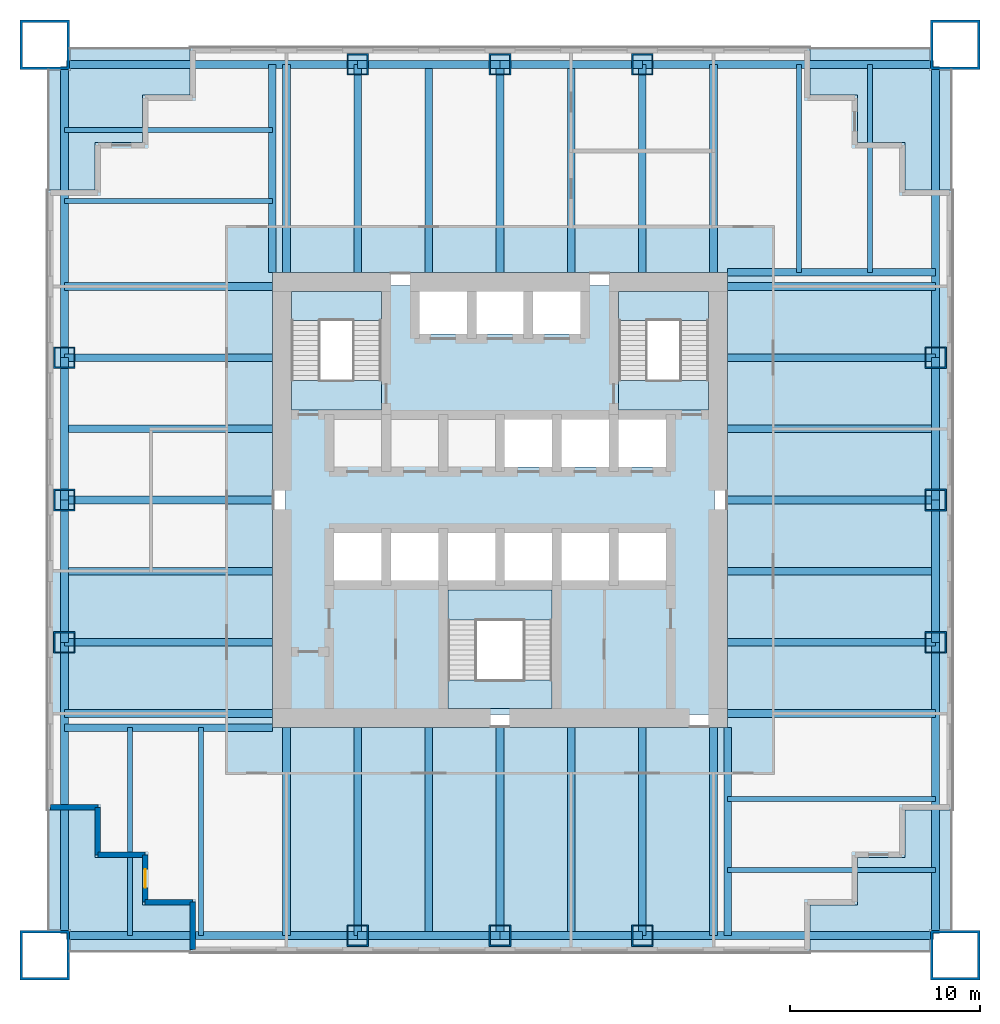
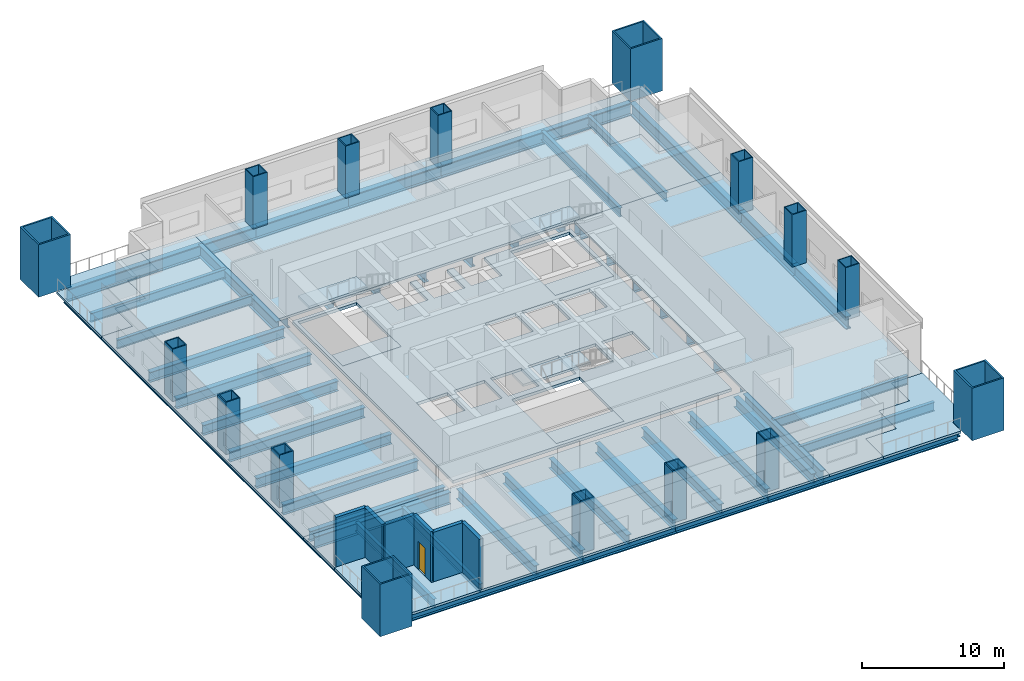
# One storey, part 1 of 7: 56 beams, 16 columns, 15 slabs, 6 walls, 1 door, 1 opening, 3 elements without a shape of their own.
"""IFC4 building model written with IfcOpenShell, lengths in metres."""

import ifcopenshell
import ifcopenshell.guid

model = None  # the IFC model being written
_history = None  # IfcOwnerHistory: only IFC2X3 demands one
_inside = {}  # id of a spatial element -> (the spatial element, [elements in it])
_under = {}  # id of a project, library or spatial element -> (it, [spatial elements below it])
_declared = {}  # id of a project -> (the project, [libraries it declares])
_typed = {}  # id of a type object -> (the type object, [elements of that type])
_made_of = {}  # id of a material, layer set ... -> (it, [elements and type objects made of it])


def new_model(schema):
    """Start an empty IFC model of exactly this schema.

    Asked for "IFC4X3", IfcOpenShell would pick the latest addendum, in which some entities
    have other attributes; the version numbers below select the first issue.
    IFC2X3 requires an IfcOwnerHistory on every rooted entity: one is made here for all.
    """
    global model, _history
    if schema == "IFC4X3":
        model = ifcopenshell.file(schema_version=(4, 3, 0, 0))
    else:
        model = ifcopenshell.file(schema=schema)
    _inside.clear()
    _under.clear()
    _declared.clear()
    _typed.clear()
    _made_of.clear()
    _history = None
    if model.schema == "IFC2X3":
        org = make("IfcOrganization", Name="unknown")
        user = make(
            "IfcPersonAndOrganization",
            ThePerson=make("IfcPerson", FamilyName="unknown"),
            TheOrganization=org,
        )
        app = make(
            "IfcApplication",
            ApplicationDeveloper=org,
            Version="unknown",
            ApplicationFullName="unknown",
            ApplicationIdentifier="unknown",
        )
        _history = make(
            "IfcOwnerHistory",
            OwningUser=user,
            OwningApplication=app,
            ChangeAction="ADDED",
            CreationDate=0,
        )
    return model


def make(cls, **values):
    """One entity of the class cls with the attributes given. An attribute that is None is left unset."""
    return model.create_entity(
        cls, **{name: value for name, value in values.items() if value is not None}
    )


def rooted(cls, **values):
    """An entity with a GlobalId (a new one), such as an element, a storey or a relation."""
    return make(cls, GlobalId=ifcopenshell.guid.new(), OwnerHistory=_history, **values)


def si_unit(unit_type, name, prefix=None):
    """IfcSIUnit, for example si_unit("LENGTHUNIT", "METRE", prefix="MILLI")."""
    return make("IfcSIUnit", UnitType=unit_type, Prefix=prefix, Name=name)


def assignment(units):
    """IfcUnitAssignment: the units of a project."""
    return None if units is None else make("IfcUnitAssignment", Units=units)


def point(xyz):
    """IfcCartesianPoint."""
    return None if xyz is None else make("IfcCartesianPoint", Coordinates=xyz)


def direction(xyz):
    """IfcDirection."""
    return None if xyz is None else make("IfcDirection", DirectionRatios=xyz)


def frame(location, z_axis=None, x_axis=None):
    """IfcAxis2Placement3D, a coordinate frame: its origin and axes. An axis left out is left unset."""
    return make(
        "IfcAxis2Placement3D",
        Location=point(location),
        Axis=direction(z_axis),
        RefDirection=direction(x_axis),
    )


def frame_2d(location, x_axis=None):
    """IfcAxis2Placement2D, a coordinate frame in the plane: its origin and x axis."""
    return make(
        "IfcAxis2Placement2D", Location=point(location), RefDirection=direction(x_axis)
    )


def origin():
    """The frame at (0, 0, 0) with its axes left unset."""
    return frame((0.0, 0.0, 0.0))


def origin_2d():
    """The frame at (0, 0) in the plane with its x axis left unset."""
    return frame_2d((0.0, 0.0))


def place(relative_to, where):
    """IfcLocalPlacement: puts the frame where relative to a parent placement (None: the world)."""
    return make(
        "IfcLocalPlacement", PlacementRelTo=relative_to, RelativePlacement=where
    )


def context(
    kind, dimensions, precision=None, world=None, true_north=None, identifier=None
):
    """IfcGeometricRepresentationContext, for example the 3D "Model" context."""
    return make(
        "IfcGeometricRepresentationContext",
        ContextIdentifier=identifier,
        ContextType=kind,
        CoordinateSpaceDimension=dimensions,
        Precision=precision,
        WorldCoordinateSystem=world,
        TrueNorth=true_north,
    )


def subcontext(parent, identifier, kind, view, scale=None):
    """IfcGeometricRepresentationSubContext, for example "Body" below "Model"."""
    return make(
        "IfcGeometricRepresentationSubContext",
        ContextIdentifier=identifier,
        ContextType=kind,
        ParentContext=parent,
        TargetScale=scale,
        TargetView=view,
    )


def project(units=None, contexts=None):
    """IfcProject with its units and contexts."""
    return rooted(
        "IfcProject",
        Name="project",
        RepresentationContexts=contexts,
        UnitsInContext=assignment(units),
    )


def spatial(cls, under=None, at=None, **own):
    """A site, building, storey or space (cls), placed at a placement, below another one or the project."""
    s = rooted(cls, ObjectPlacement=at, **own)
    if under is not None:
        _under.setdefault(under.id(), (under, []))[1].append(s)
    return s


def polyline(points):
    """IfcPolyline through the points."""
    return make("IfcPolyline", Points=[point(p) for p in points])


def profile(cls, at=None, kind="AREA", **sizes):
    """A parametric profile (cls). Its sizes go by their IFC names, for example OverallWidth=200.0."""
    return make(cls, ProfileType=kind, Position=at, **sizes)


def rectangle(**sizes):
    """IfcRectangleProfileDef."""
    return profile("IfcRectangleProfileDef", **sizes)


def hollow_rectangle(**sizes):
    """IfcRectangleHollowProfileDef."""
    return profile("IfcRectangleHollowProfileDef", **sizes)


def i_section(**sizes):
    """IfcIShapeProfileDef."""
    return profile("IfcIShapeProfileDef", **sizes)


def outline(outer, holes=None, kind="AREA"):
    """IfcArbitraryClosedProfileDef: a profile drawn as a closed curve; with holes, ...WithVoids."""
    if holes is None:
        return make("IfcArbitraryClosedProfileDef", ProfileType=kind, OuterCurve=outer)
    return make(
        "IfcArbitraryProfileDefWithVoids",
        ProfileType=kind,
        OuterCurve=outer,
        InnerCurves=holes,
    )


def extrude(swept, where, along, depth):
    """IfcExtrudedAreaSolid: the profile swept, set in the frame where, extruded along a direction by depth."""
    return make(
        "IfcExtrudedAreaSolid",
        SweptArea=swept,
        Position=where,
        ExtrudedDirection=direction(along),
        Depth=depth,
    )


def shape(context_of_items, identifier, shape_type, items):
    """IfcShapeRepresentation: the items that make up one representation, for example the "Body"."""
    return make(
        "IfcShapeRepresentation",
        ContextOfItems=context_of_items,
        RepresentationIdentifier=identifier,
        RepresentationType=shape_type,
        Items=items,
    )


def material(Name=None, Category=None):
    """IfcMaterial."""
    return make("IfcMaterial", Name=Name, Category=Category)


def layer(
    of_material, thickness, ventilated=None, Name=None, Category=None, Priority=None
):
    """IfcMaterialLayer: one layer of a wall or slab, of a material (None: an air gap)."""
    return make(
        "IfcMaterialLayer",
        Material=of_material,
        LayerThickness=thickness,
        IsVentilated=ventilated,
        Name=Name,
        Category=Category,
        Priority=Priority,
    )


def layer_set(layers, Name=None):
    """IfcMaterialLayerSet."""
    return make("IfcMaterialLayerSet", MaterialLayers=layers, LayerSetName=Name)


def material_profile(
    of_material, cross_section, Name=None, Category=None, Priority=None
):
    """IfcMaterialProfile: a cross section and its material."""
    return make(
        "IfcMaterialProfile",
        Name=Name,
        Material=of_material,
        Profile=cross_section,
        Priority=Priority,
        Category=Category,
    )


def profile_set(profiles, Name=None, composite=None):
    """IfcMaterialProfileSet."""
    return make(
        "IfcMaterialProfileSet",
        Name=Name,
        MaterialProfiles=profiles,
        CompositeProfile=composite,
    )


def made_of(thing, what):
    """Note that an element or type object is made of a material, layer set ...; save() writes the relation."""
    if what is not None:
        _made_of.setdefault(what.id(), (what, []))[1].append(thing)
    return thing


def type_object(cls, material=None, **own):
    """A type object (cls), such as IfcWallType, which elements share."""
    return made_of(rooted(cls, **own), material)


def element(
    cls,
    number,
    at=None,
    inside=None,
    cuts=None,
    type_object=None,
    material=None,
    context=None,
    identifier="Body",
    shape_type=None,
    held_by="IfcProductDefinitionShape",
    body=None,
    shapes=None,
    **own,
):
    """One element of the class cls, such as IfcWall. Its Tag is "e" and its number.

    at: its placement. inside: the storey or other place that contains it. cuts: it is an
    opening in that element (IfcRelVoidsElement). A single representation is given by context,
    identifier, shape_type and body (its items); several are given by shapes. held_by: the class
    of the entity that holds the representations. save() writes the other relations.
    """
    e = rooted(cls, Tag="e%d" % number, ObjectPlacement=at, **own)
    if body is not None:
        shapes = [shape(context, identifier, shape_type, body)]
    if shapes is not None:
        e.Representation = make(held_by, Representations=shapes)
    if inside is not None:
        _inside.setdefault(inside.id(), (inside, []))[1].append(e)
    if cuts is not None:
        rooted(
            "IfcRelVoidsElement", RelatingBuildingElement=cuts, RelatedOpeningElement=e
        )
    if type_object is not None:
        _typed.setdefault(type_object.id(), (type_object, []))[1].append(e)
    return made_of(e, material)


def fill(opening, filler):
    """IfcRelFillsElement: the door or window that sits in an opening."""
    return rooted(
        "IfcRelFillsElement",
        RelatingOpeningElement=opening,
        RelatedBuildingElement=filler,
    )


def aggregate(whole, parts):
    """IfcRelAggregates: a whole, such as a stair, and the parts it consists of."""
    return rooted("IfcRelAggregates", RelatingObject=whole, RelatedObjects=parts)


def save(model, path):
    """Write the relations noted so far, then the file.

    IfcRelAggregates (storeys below a building ...), IfcRelContainedInSpatialStructure (elements
    in a storey), IfcRelDefinesByType, IfcRelAssociatesMaterial and IfcRelDeclares: one each for
    every whole, place, type object, material and project.
    """
    for whole, parts in _under.values():
        aggregate(whole, parts)
    for where, things in _inside.values():
        rooted(
            "IfcRelContainedInSpatialStructure",
            RelatedElements=things,
            RelatingStructure=where,
        )
    for kind, things in _typed.values():
        rooted("IfcRelDefinesByType", RelatedObjects=things, RelatingType=kind)
    for what, things in _made_of.values():
        rooted("IfcRelAssociatesMaterial", RelatedObjects=things, RelatingMaterial=what)
    for by, libraries in _declared.values():
        rooted("IfcRelDeclares", RelatingContext=by, RelatedDefinitions=libraries)
    model.write(path)


model = new_model("IFC4")

# Units and contexts
model_context = context("Model", 3, precision=1e-05, world=origin(), true_north=direction((0.0, 1.0)))
body_context = subcontext(model_context, "Body", "Model", "MODEL_VIEW")
ifc_project = project(units=[si_unit("LENGTHUNIT", "METRE"), si_unit("AREAUNIT", "SQUARE_METRE"), si_unit("VOLUMEUNIT", "CUBIC_METRE"), si_unit("PLANEANGLEUNIT", "RADIAN"), si_unit("MASSUNIT", "GRAM", prefix="KILO")], contexts=[model_context])

# Site, building, storey
site_placement = place(None, origin())
site = spatial("IfcSite", under=ifc_project, at=site_placement, CompositionType="ELEMENT")
building_placement = place(site_placement, origin())
building = spatial("IfcBuilding", under=site, at=building_placement, Name="Tarangal Relay Tower", CompositionType="ELEMENT")
storey_placement = place(building_placement, frame((0.0, 0.0, 167.39990234375)))
storey = spatial("IfcBuildingStorey", under=building, at=storey_placement, Name="L34", CompositionType="ELEMENT", Elevation=167.39990234375)

# Columns
ifc_material_1 = material(Name="Steel ASTM A572 Grade 42", Category="steel")
ifc_material_profile_1 = material_profile(ifc_material_1, hollow_rectangle(XDim=2.60009765625, YDim=2.60009765625, WallThickness=0.1298828125, at=origin_2d()), Name="BOX2600X2600X130")
ifc_profile_set_1 = profile_set([ifc_material_profile_1], Name="Steel ASTM A572 Grade 42")
column_type_1 = type_object("IfcColumnType", Name="Mega column BOX2600X2600X130", PredefinedType="COLUMN", material=ifc_profile_set_1)
for number, where, z_axis, x_axis, name in (
    (1, (24.0, 24.0, 0.0), (0.0, 0.0, 1.0), (1.0, 0.0, 0.0), "Mega column MC2 NE L34"),
    (2, (24.0, -24.0, 0.0), (0.0, 0.0, 1.0), (1.0, 0.0, 0.0), "Mega column MC2 SE L34"),
    (3, (-24.0, -24.0, 0.0), (0.0, 0.0, 1.0), (1.0, 0.0, 0.0), "Mega column MC2 SW L34"),
    (4, (-24.0, 24.0, 0.0), (0.0, 0.0, 1.0), (1.0, 0.0, 0.0), "Mega column MC2 NW L34"),
):
    element("IfcColumn", number, at=place(storey_placement, frame(where, z_axis=z_axis, x_axis=x_axis)), inside=storey, type_object=column_type_1, Name=name, PredefinedType="COLUMN", context=body_context, shape_type="SweptSolid", body=[
        extrude(hollow_rectangle(XDim=2.60009765625, YDim=2.60009765625, WallThickness=0.1298828125, at=origin_2d()), origin(), (0.0, 0.0, 1.0), 4.5),
    ])
ifc_material_2 = material(Name="Steel ASTM A572 Grade 50", Category="steel")
ifc_material_profile_2 = material_profile(ifc_material_2, hollow_rectangle(XDim=1.14990234375, YDim=1.14990234375, WallThickness=0.074951171875, at=origin_2d()), Name="BOX1150X1150X75")
ifc_profile_set_2 = profile_set([ifc_material_profile_2], Name="Steel ASTM A572 Grade 50")
column_type_2 = type_object("IfcColumnType", Name="Perimeter column BOX1150X1150X75", PredefinedType="COLUMN", material=ifc_profile_set_2)
for number, where, z_axis, x_axis, name in (
    (5, (-7.5, 22.965087890625, 0.0), (0.0, 0.0, 1.0), (1.0, 0.0, 0.0), "Perimeter column PC3 N L34"),
    (6, (0.0, 22.965087890625, 0.0), (0.0, 0.0, 1.0), (1.0, 0.0, 0.0), "Perimeter column PC3 N L34"),
    (7, (7.5, 22.965087890625, 0.0), (0.0, 0.0, 1.0), (1.0, 0.0, 0.0), "Perimeter column PC3 N L34"),
    (8, (22.965087890625, 7.5, 0.0), (0.0, 0.0, 1.0), (1.0, 0.0, 0.0), "Perimeter column PC3 E L34"),
    (9, (22.965087890625, 0.0, 0.0), (0.0, 0.0, 1.0), (1.0, 0.0, 0.0), "Perimeter column PC3 E L34"),
    (10, (22.965087890625, -7.5, 0.0), (0.0, 0.0, 1.0), (1.0, 0.0, 0.0), "Perimeter column PC3 E L34"),
    (11, (7.5, -22.965087890625, 0.0), (0.0, 0.0, 1.0), (1.0, 0.0, 0.0), "Perimeter column PC3 S L34"),
    (12, (0.0, -22.965087890625, 0.0), (0.0, 0.0, 1.0), (1.0, 0.0, 0.0), "Perimeter column PC3 S L34"),
    (13, (-7.5, -22.965087890625, 0.0), (0.0, 0.0, 1.0), (1.0, 0.0, 0.0), "Perimeter column PC3 S L34"),
    (14, (-22.965087890625, -7.5, 0.0), (0.0, 0.0, 1.0), (1.0, 0.0, 0.0), "Perimeter column PC3 W L34"),
    (15, (-22.965087890625, 0.0, 0.0), (0.0, 0.0, 1.0), (1.0, 0.0, 0.0), "Perimeter column PC3 W L34"),
    (16, (-22.965087890625, 7.5, 0.0), (0.0, 0.0, 1.0), (1.0, 0.0, 0.0), "Perimeter column PC3 W L34"),
):
    element("IfcColumn", number, at=place(storey_placement, frame(where, z_axis=z_axis, x_axis=x_axis)), inside=storey, type_object=column_type_2, Name=name, PredefinedType="COLUMN", context=body_context, shape_type="SweptSolid", body=[
        extrude(hollow_rectangle(XDim=1.14990234375, YDim=1.14990234375, WallThickness=0.074951171875, at=origin_2d()), origin(), (0.0, 0.0, 1.0), 4.5),
    ])

# Beams
ifc_material_3 = material(Name="Steel ASTM A992", Category="steel")
ifc_material_profile_3 = material_profile(ifc_material_3, i_section(OverallWidth=0.2666015625, OverallDepth=0.76953125, WebThickness=0.015625, FlangeThickness=0.025390625, at=origin_2d()), Name="W30X132")
ifc_profile_set_3 = profile_set([ifc_material_profile_3], Name="Steel ASTM A992")
beam_type_1 = type_object("IfcBeamType", Name="Corner beam W30X132", PredefinedType="JOIST", material=ifc_profile_set_3)
for number, where, z_axis, x_axis, name in (
    (17, (15.75, 12.0, -0.584716796875), (0.0, 1.0, 0.0), (-1.0, 0.0, 0.0), "Corner beam CB13 N L34"),
    (18, (19.5, 12.0, -0.584716796875), (0.0, 1.0, 0.0), (-1.0, 0.0, 0.0), "Corner beam CB13 N L34"),
    (19, (12.0, -15.75, -0.584716796875), (1.0, 0.0, 0.0), (0.0, 1.0, 0.0), "Corner beam CB13 E L34"),
    (20, (12.0, -19.5, -0.584716796875), (1.0, 0.0, 0.0), (0.0, 1.0, 0.0), "Corner beam CB13 E L34"),
    (21, (-15.75, -12.0, -0.584716796875), (0.0, -1.0, 0.0), (1.0, 0.0, 0.0), "Corner beam CB13 S L34"),
    (22, (-19.5, -12.0, -0.584716796875), (0.0, -1.0, 0.0), (1.0, 0.0, 0.0), "Corner beam CB13 S L34"),
    (23, (-12.0, 15.75, -0.584716796875), (-1.0, 0.0, 0.0), (0.0, -1.0, 0.0), "Corner beam CB13 W L34"),
    (24, (-12.0, 19.5, -0.584716796875), (-1.0, 0.0, 0.0), (0.0, -1.0, 0.0), "Corner beam CB13 W L34"),
):
    element("IfcBeam", number, at=place(storey_placement, frame(where, z_axis=z_axis, x_axis=x_axis)), inside=storey, type_object=beam_type_1, Name=name, PredefinedType="JOIST", context=body_context, shape_type="SweptSolid", body=[
        extrude(i_section(OverallWidth=0.2666015625, OverallDepth=0.76953125, WebThickness=0.015625, FlangeThickness=0.025390625, at=origin_2d()), origin(), (0.0, 0.0, 1.0), 10.965087890625),
    ])
ifc_material_profile_4 = material_profile(ifc_material_3, i_section(OverallWidth=0.4013671875, OverallDepth=1.01611328125, WebThickness=0.02099609375, FlangeThickness=0.0400390625, at=origin_2d()), Name="W40X277")
ifc_profile_set_4 = profile_set([ifc_material_profile_4], Name="Steel ASTM A992")
beam_type_2 = type_object("IfcBeamType", Name="Corner girder W40X277", PredefinedType="BEAM", material=ifc_profile_set_4)
for number, where, z_axis, x_axis, name in (
    (25, (12.0, 12.0, -0.7080078125), (1.0, 0.0, 0.0), (0.0, 1.0, 0.0), "Corner girder CG3 N L34"),
    (26, (12.0, -12.0, -0.7080078125), (0.0, -1.0, 0.0), (1.0, 0.0, 0.0), "Corner girder CG3 E L34"),
    (27, (-12.0, -12.0, -0.7080078125), (-1.0, 0.0, 0.0), (0.0, -1.0, 0.0), "Corner girder CG3 S L34"),
    (28, (-12.0, 12.0, -0.7080078125), (0.0, 1.0, 0.0), (-1.0, 0.0, 0.0), "Corner girder CG3 W L34"),
):
    element("IfcBeam", number, at=place(storey_placement, frame(where, z_axis=z_axis, x_axis=x_axis)), inside=storey, type_object=beam_type_2, Name=name, PredefinedType="BEAM", context=body_context, shape_type="SweptSolid", body=[
        extrude(i_section(OverallWidth=0.4013671875, OverallDepth=1.01611328125, WebThickness=0.02099609375, FlangeThickness=0.0400390625, at=origin_2d()), origin(), (0.0, 0.0, 1.0), 10.965087890625),
    ])
ifc_material_profile_5 = material_profile(ifc_material_3, i_section(OverallWidth=0.42431640625, OverallDepth=1.09228515625, WebThickness=0.04541015625, FlangeThickness=0.08203125, at=origin_2d()), Name="W40X593")
ifc_profile_set_5 = profile_set([ifc_material_profile_5], Name="Steel ASTM A992")
beam_type_3 = type_object("IfcBeamType", Name="Edge girder W40X593", PredefinedType="SPANDREL", material=ifc_profile_set_5)
beam_1_placement = place(storey_placement, frame((-22.85009765625, 22.965087890625, -0.74609375), z_axis=(1.0, 0.0, 0.0), x_axis=(0.0, 1.0, 0.0)))
element("IfcBeam", 29, at=beam_1_placement, inside=storey, type_object=beam_type_3, Name="Edge girder EG9 N L34", PredefinedType="SPANDREL", context=body_context, shape_type="SweptSolid", body=[
    extrude(i_section(OverallWidth=0.42431640625, OverallDepth=1.09228515625, WebThickness=0.04541015625, FlangeThickness=0.08203125, at=origin_2d()), origin(), (0.0, 0.0, 1.0), 15.35009765625),
])
for number, where, z_axis, x_axis, name in (
    (30, (-7.5, 22.965087890625, -0.74609375), (1.0, 0.0, 0.0), (0.0, 1.0, 0.0), "Edge girder EG9 N L34"),
    (31, (0.0, 22.965087890625, -0.74609375), (1.0, 0.0, 0.0), (0.0, 1.0, 0.0), "Edge girder EG9 N L34"),
):
    element("IfcBeam", number, at=place(storey_placement, frame(where, z_axis=z_axis, x_axis=x_axis)), inside=storey, type_object=beam_type_3, Name=name, PredefinedType="SPANDREL", context=body_context, shape_type="SweptSolid", body=[
        extrude(i_section(OverallWidth=0.42431640625, OverallDepth=1.09228515625, WebThickness=0.04541015625, FlangeThickness=0.08203125, at=origin_2d()), origin(), (0.0, 0.0, 1.0), 7.5),
    ])
for number, where, z_axis, x_axis, name in (
    (32, (7.5, 22.965087890625, -0.74609375), (1.0, 0.0, 0.0), (0.0, 1.0, 0.0), "Edge girder EG9 N L34"),
    (33, (22.965087890625, 22.85009765625, -0.74609375), (0.0, -1.0, 0.0), (1.0, 0.0, 0.0), "Edge girder EG9 E L34"),
):
    element("IfcBeam", number, at=place(storey_placement, frame(where, z_axis=z_axis, x_axis=x_axis)), inside=storey, type_object=beam_type_3, Name=name, PredefinedType="SPANDREL", context=body_context, shape_type="SweptSolid", body=[
        extrude(i_section(OverallWidth=0.42431640625, OverallDepth=1.09228515625, WebThickness=0.04541015625, FlangeThickness=0.08203125, at=origin_2d()), origin(), (0.0, 0.0, 1.0), 15.35009765625),
    ])
for number, where, z_axis, x_axis, name in (
    (34, (22.965087890625, 7.5, -0.74609375), (0.0, -1.0, 0.0), (1.0, 0.0, 0.0), "Edge girder EG9 E L34"),
    (35, (22.965087890625, 0.0, -0.74609375), (0.0, -1.0, 0.0), (1.0, 0.0, 0.0), "Edge girder EG9 E L34"),
):
    element("IfcBeam", number, at=place(storey_placement, frame(where, z_axis=z_axis, x_axis=x_axis)), inside=storey, type_object=beam_type_3, Name=name, PredefinedType="SPANDREL", context=body_context, shape_type="SweptSolid", body=[
        extrude(i_section(OverallWidth=0.42431640625, OverallDepth=1.09228515625, WebThickness=0.04541015625, FlangeThickness=0.08203125, at=origin_2d()), origin(), (0.0, 0.0, 1.0), 7.5),
    ])
for number, where, z_axis, x_axis, name in (
    (36, (22.965087890625, -7.5, -0.74609375), (0.0, -1.0, 0.0), (1.0, 0.0, 0.0), "Edge girder EG9 E L34"),
    (37, (22.85009765625, -22.965087890625, -0.74609375), (-1.0, 0.0, 0.0), (0.0, -1.0, 0.0), "Edge girder EG9 S L34"),
):
    element("IfcBeam", number, at=place(storey_placement, frame(where, z_axis=z_axis, x_axis=x_axis)), inside=storey, type_object=beam_type_3, Name=name, PredefinedType="SPANDREL", context=body_context, shape_type="SweptSolid", body=[
        extrude(i_section(OverallWidth=0.42431640625, OverallDepth=1.09228515625, WebThickness=0.04541015625, FlangeThickness=0.08203125, at=origin_2d()), origin(), (0.0, 0.0, 1.0), 15.35009765625),
    ])
for number, where, z_axis, x_axis, name in (
    (38, (7.5, -22.965087890625, -0.74609375), (-1.0, 0.0, 0.0), (0.0, -1.0, 0.0), "Edge girder EG9 S L34"),
    (39, (0.0, -22.965087890625, -0.74609375), (-1.0, 0.0, 0.0), (0.0, -1.0, 0.0), "Edge girder EG9 S L34"),
):
    element("IfcBeam", number, at=place(storey_placement, frame(where, z_axis=z_axis, x_axis=x_axis)), inside=storey, type_object=beam_type_3, Name=name, PredefinedType="SPANDREL", context=body_context, shape_type="SweptSolid", body=[
        extrude(i_section(OverallWidth=0.42431640625, OverallDepth=1.09228515625, WebThickness=0.04541015625, FlangeThickness=0.08203125, at=origin_2d()), origin(), (0.0, 0.0, 1.0), 7.5),
    ])
for number, where, z_axis, x_axis, name in (
    (40, (-7.5, -22.965087890625, -0.74609375), (-1.0, 0.0, 0.0), (0.0, -1.0, 0.0), "Edge girder EG9 S L34"),
    (41, (-22.965087890625, -22.85009765625, -0.74609375), (0.0, 1.0, 0.0), (-1.0, 0.0, 0.0), "Edge girder EG9 W L34"),
):
    element("IfcBeam", number, at=place(storey_placement, frame(where, z_axis=z_axis, x_axis=x_axis)), inside=storey, type_object=beam_type_3, Name=name, PredefinedType="SPANDREL", context=body_context, shape_type="SweptSolid", body=[
        extrude(i_section(OverallWidth=0.42431640625, OverallDepth=1.09228515625, WebThickness=0.04541015625, FlangeThickness=0.08203125, at=origin_2d()), origin(), (0.0, 0.0, 1.0), 15.35009765625),
    ])
for number, where, z_axis, x_axis, name in (
    (42, (-22.965087890625, -7.5, -0.74609375), (0.0, 1.0, 0.0), (-1.0, 0.0, 0.0), "Edge girder EG9 W L34"),
    (43, (-22.965087890625, 0.0, -0.74609375), (0.0, 1.0, 0.0), (-1.0, 0.0, 0.0), "Edge girder EG9 W L34"),
):
    element("IfcBeam", number, at=place(storey_placement, frame(where, z_axis=z_axis, x_axis=x_axis)), inside=storey, type_object=beam_type_3, Name=name, PredefinedType="SPANDREL", context=body_context, shape_type="SweptSolid", body=[
        extrude(i_section(OverallWidth=0.42431640625, OverallDepth=1.09228515625, WebThickness=0.04541015625, FlangeThickness=0.08203125, at=origin_2d()), origin(), (0.0, 0.0, 1.0), 7.5),
    ])
beam_2_placement = place(storey_placement, frame((-22.965087890625, 7.5, -0.74609375), z_axis=(0.0, 1.0, 0.0), x_axis=(-1.0, 0.0, 0.0)))
element("IfcBeam", 44, at=beam_2_placement, inside=storey, type_object=beam_type_3, Name="Edge girder EG9 W L34", PredefinedType="SPANDREL", context=body_context, shape_type="SweptSolid", body=[
    extrude(i_section(OverallWidth=0.42431640625, OverallDepth=1.09228515625, WebThickness=0.04541015625, FlangeThickness=0.08203125, at=origin_2d()), origin(), (0.0, 0.0, 1.0), 15.35009765625),
])
ifc_material_profile_6 = material_profile(ifc_material_3, i_section(OverallWidth=0.40380859375, OverallDepth=0.86865234375, WebThickness=0.02099609375, FlangeThickness=0.03564453125, at=origin_2d()), Name="W33X241")
ifc_profile_set_6 = profile_set([ifc_material_profile_6], Name="Steel ASTM A992")
beam_type_4 = type_object("IfcBeamType", Name="Floor beam W33X241", PredefinedType="BEAM", material=ifc_profile_set_6)
for number, where, z_axis, x_axis, name in (
    (45, (-11.25, 12.0, -0.63427734375), (0.0, 1.0, 0.0), (-1.0, 0.0, 0.0), "Floor beam RB11 N L34"),
    (46, (-7.5, 12.0, -0.63427734375), (0.0, 1.0, 0.0), (-1.0, 0.0, 0.0), "Floor beam RB11 N L34"),
    (47, (-3.75, 12.0, -0.63427734375), (0.0, 1.0, 0.0), (-1.0, 0.0, 0.0), "Floor beam RB11 N L34"),
    (48, (0.0, 12.0, -0.63427734375), (0.0, 1.0, 0.0), (-1.0, 0.0, 0.0), "Floor beam RB11 N L34"),
    (49, (3.75, 12.0, -0.63427734375), (0.0, 1.0, 0.0), (-1.0, 0.0, 0.0), "Floor beam RB11 N L34"),
    (50, (7.5, 12.0, -0.63427734375), (0.0, 1.0, 0.0), (-1.0, 0.0, 0.0), "Floor beam RB11 N L34"),
    (51, (11.25, 12.0, -0.63427734375), (0.0, 1.0, 0.0), (-1.0, 0.0, 0.0), "Floor beam RB11 N L34"),
    (52, (12.0, 11.25, -0.63427734375), (1.0, 0.0, 0.0), (0.0, 1.0, 0.0), "Floor beam RB11 E L34"),
    (53, (12.0, 7.5, -0.63427734375), (1.0, 0.0, 0.0), (0.0, 1.0, 0.0), "Floor beam RB11 E L34"),
    (54, (12.0, 3.75, -0.63427734375), (1.0, 0.0, 0.0), (0.0, 1.0, 0.0), "Floor beam RB11 E L34"),
    (55, (12.0, 0.0, -0.63427734375), (1.0, 0.0, 0.0), (0.0, 1.0, 0.0), "Floor beam RB11 E L34"),
    (56, (12.0, -3.75, -0.63427734375), (1.0, 0.0, 0.0), (0.0, 1.0, 0.0), "Floor beam RB11 E L34"),
    (57, (12.0, -7.5, -0.63427734375), (1.0, 0.0, 0.0), (0.0, 1.0, 0.0), "Floor beam RB11 E L34"),
    (58, (12.0, -11.25, -0.63427734375), (1.0, 0.0, 0.0), (0.0, 1.0, 0.0), "Floor beam RB11 E L34"),
    (59, (11.25, -12.0, -0.63427734375), (0.0, -1.0, 0.0), (1.0, 0.0, 0.0), "Floor beam RB11 S L34"),
    (60, (7.5, -12.0, -0.63427734375), (0.0, -1.0, 0.0), (1.0, 0.0, 0.0), "Floor beam RB11 S L34"),
    (61, (3.75, -12.0, -0.63427734375), (0.0, -1.0, 0.0), (1.0, 0.0, 0.0), "Floor beam RB11 S L34"),
    (62, (0.0, -12.0, -0.63427734375), (0.0, -1.0, 0.0), (1.0, 0.0, 0.0), "Floor beam RB11 S L34"),
    (63, (-3.75, -12.0, -0.63427734375), (0.0, -1.0, 0.0), (1.0, 0.0, 0.0), "Floor beam RB11 S L34"),
    (64, (-7.5, -12.0, -0.63427734375), (0.0, -1.0, 0.0), (1.0, 0.0, 0.0), "Floor beam RB11 S L34"),
    (65, (-11.25, -12.0, -0.63427734375), (0.0, -1.0, 0.0), (1.0, 0.0, 0.0), "Floor beam RB11 S L34"),
    (66, (-12.0, -11.25, -0.63427734375), (-1.0, 0.0, 0.0), (0.0, -1.0, 0.0), "Floor beam RB11 W L34"),
    (67, (-12.0, -7.5, -0.63427734375), (-1.0, 0.0, 0.0), (0.0, -1.0, 0.0), "Floor beam RB11 W L34"),
    (68, (-12.0, -3.75, -0.63427734375), (-1.0, 0.0, 0.0), (0.0, -1.0, 0.0), "Floor beam RB11 W L34"),
    (69, (-12.0, 0.0, -0.63427734375), (-1.0, 0.0, 0.0), (0.0, -1.0, 0.0), "Floor beam RB11 W L34"),
    (70, (-12.0, 3.75, -0.63427734375), (-1.0, 0.0, 0.0), (0.0, -1.0, 0.0), "Floor beam RB11 W L34"),
    (71, (-12.0, 7.5, -0.63427734375), (-1.0, 0.0, 0.0), (0.0, -1.0, 0.0), "Floor beam RB11 W L34"),
    (72, (-12.0, 11.25, -0.63427734375), (-1.0, 0.0, 0.0), (0.0, -1.0, 0.0), "Floor beam RB11 W L34"),
):
    element("IfcBeam", number, at=place(storey_placement, frame(where, z_axis=z_axis, x_axis=x_axis)), inside=storey, type_object=beam_type_4, Name=name, PredefinedType="BEAM", context=body_context, shape_type="SweptSolid", body=[
        extrude(i_section(OverallWidth=0.40380859375, OverallDepth=0.86865234375, WebThickness=0.02099609375, FlangeThickness=0.03564453125, at=origin_2d()), origin(), (0.0, 0.0, 1.0), 10.965087890625),
    ])

# Slabs
ifc_material_4 = material(Name="Concrete fc' 35 MPa", Category="concrete")
ifc_layer_1 = layer(ifc_material_4, 0.25)
ifc_layer_set_1 = layer_set([ifc_layer_1], Name="Core floor slab 250")
slab_type_1 = type_object("IfcSlabType", Name="Core floor slab 250", PredefinedType="FLOOR", material=ifc_layer_set_1)
slab_1_placement = place(storey_placement, frame((0.0, 0.0, -0.25)))
element("IfcSlab", 73, at=slab_1_placement, inside=storey, type_object=slab_type_1, Name="Core floor slab L34", PredefinedType="FLOOR", context=body_context, shape_type="SweptSolid", body=[
    extrude(outline(polyline([(11.300048828125, 11.300048828125), (11.300048828125, -11.300048828125), (-11.300048828125, -11.300048828125), (-11.300048828125, 11.300048828125), (-4.25, 11.300048828125), (-4.25, 8.75), (-1.75, 8.75), (-1.75, 11.300048828125), (-1.25, 11.300048828125), (-1.25, 8.75), (1.25, 8.75), (1.25, 11.300048828125), (1.75, 11.300048828125), (1.75, 8.75), (4.25, 8.75), (4.25, 11.300048828125), (11.300048828125, 11.300048828125)]), holes=[polyline([(2.75, -4.75), (-2.75, -4.75), (-2.75, -11.0), (2.75, -11.0), (2.75, -4.75)]), polyline([(-6.25, -4.25), (-6.25, -1.75), (-8.75, -1.75), (-8.75, -4.25), (-6.25, -4.25)]), polyline([(-3.25, -4.25), (-3.25, -1.75), (-5.75, -1.75), (-5.75, -4.25), (-3.25, -4.25)]), polyline([(-0.25, -4.25), (-0.25, -1.75), (-2.75, -1.75), (-2.75, -4.25), (-0.25, -4.25)]), polyline([(2.75, 1.75), (2.75, 4.25), (0.25, 4.25), (0.25, 1.75), (2.75, 1.75)]), polyline([(-6.25, 4.75), (-6.25, 11.0), (-11.0, 11.0), (-11.0, 4.75), (-6.25, 4.75)]), polyline([(2.75, -4.25), (2.75, -1.75), (0.25, -1.75), (0.25, -4.25), (2.75, -4.25)]), polyline([(5.75, -4.25), (5.75, -1.75), (3.25, -1.75), (3.25, -4.25), (5.75, -4.25)]), polyline([(8.75, -4.25), (8.75, -1.75), (6.25, -1.75), (6.25, -4.25), (8.75, -4.25)]), polyline([(5.75, 1.75), (5.75, 4.25), (3.25, 4.25), (3.25, 1.75), (5.75, 1.75)]), polyline([(8.75, 1.75), (8.75, 4.25), (6.25, 4.25), (6.25, 1.75), (8.75, 1.75)]), polyline([(11.0, 4.75), (11.0, 11.0), (6.25, 11.0), (6.25, 4.75), (11.0, 4.75)])]), origin(), (0.0, 0.0, 1.0), 0.25),
])
ifc_layer_2 = layer(ifc_material_4, 0.199951171875)
ifc_layer_set_2 = layer_set([ifc_layer_2], Name="Floor slab 200")
slab_type_2 = type_object("IfcSlabType", Name="Floor slab 200", PredefinedType="FLOOR", material=ifc_layer_set_2)
slab_2_placement = place(storey_placement, frame((0.0, 0.0, -0.199951171875)))
element("IfcSlab", 74, at=slab_2_placement, inside=storey, type_object=slab_type_2, Name="Floor slab FS2 L34 north bay", PredefinedType="FLOOR", context=body_context, shape_type="SweptSolid", body=[
    extrude(outline(polyline([(16.35009765625, 23.85009765625), (16.35009765625, 21.35009765625), (18.85009765625, 21.35009765625), (18.85009765625, 18.85009765625), (21.35009765625, 18.85009765625), (21.35009765625, 16.35009765625), (23.85009765625, 16.35009765625), (23.85009765625, 12.0), (-12.0, 12.0), (-12.0, 23.85009765625), (16.35009765625, 23.85009765625)])), origin(), (0.0, 0.0, 1.0), 0.199951171875),
])
slab_3_placement = place(storey_placement, frame((0.0, 0.0, -0.199951171875)))
element("IfcSlab", 75, at=slab_3_placement, inside=storey, type_object=slab_type_2, Name="Floor slab FS2 L34 east bay", PredefinedType="FLOOR", context=body_context, shape_type="SweptSolid", body=[
    extrude(outline(polyline([(23.85009765625, -16.35009765625), (21.35009765625, -16.35009765625), (21.35009765625, -18.85009765625), (18.85009765625, -18.85009765625), (18.85009765625, -21.35009765625), (16.35009765625, -21.35009765625), (16.35009765625, -23.85009765625), (12.0, -23.85009765625), (12.0, 12.0), (23.85009765625, 12.0), (23.85009765625, -16.35009765625)])), origin(), (0.0, 0.0, 1.0), 0.199951171875),
])
slab_4_placement = place(storey_placement, frame((0.0, 0.0, -0.199951171875)))
element("IfcSlab", 76, at=slab_4_placement, inside=storey, type_object=slab_type_2, Name="Floor slab FS2 L34 south bay", PredefinedType="FLOOR", context=body_context, shape_type="SweptSolid", body=[
    extrude(outline(polyline([(-16.35009765625, -23.85009765625), (-16.35009765625, -21.35009765625), (-18.85009765625, -21.35009765625), (-18.85009765625, -18.85009765625), (-21.35009765625, -18.85009765625), (-21.35009765625, -16.35009765625), (-23.85009765625, -16.35009765625), (-23.85009765625, -12.0), (12.0, -12.0), (12.0, -23.85009765625), (-16.35009765625, -23.85009765625)])), origin(), (0.0, 0.0, 1.0), 0.199951171875),
])
slab_5_placement = place(storey_placement, frame((0.0, 0.0, -0.199951171875)))
element("IfcSlab", 77, at=slab_5_placement, inside=storey, type_object=slab_type_2, Name="Floor slab FS2 L34 west bay", PredefinedType="FLOOR", context=body_context, shape_type="SweptSolid", body=[
    extrude(outline(polyline([(-12.0, 23.85009765625), (-12.0, -12.0), (-23.85009765625, -12.0), (-23.85009765625, 16.35009765625), (-21.35009765625, 16.35009765625), (-21.35009765625, 18.85009765625), (-18.85009765625, 18.85009765625), (-18.85009765625, 21.35009765625), (-16.35009765625, 21.35009765625), (-16.35009765625, 23.85009765625), (-12.0, 23.85009765625)])), origin(), (0.0, 0.0, 1.0), 0.199951171875),
])

# Stair, slabs
ifc_material_5 = material(Name="Steel ASTM A992 stair flight", Category="steel")
stair_type = type_object("IfcStairType", Name="Core stair 1500", PredefinedType="HALF_TURN_STAIR", material=ifc_material_5)
stair_1_placement = place(storey_placement, origin())
stair_1 = element("IfcStair", 78, at=stair_1_placement, inside=storey, type_object=stair_type, Name="Stair ST-A L34", PredefinedType="HALF_TURN_STAIR")
ifc_layer_3 = layer(ifc_material_4, 0.199951171875)
ifc_layer_set_3 = layer_set([ifc_layer_3], Name="Stair landing 200")
slab_type_3 = type_object("IfcSlabType", Name="Stair landing 200", PredefinedType="LANDING", material=ifc_layer_set_3)
slab_6_placement = place(storey_placement, frame((0.0, 0.0, -0.199951171875)))
slab_6 = element("IfcSlab", 79, at=slab_6_placement, type_object=slab_type_3, Name="ST-A landing 1", PredefinedType="LANDING", context=body_context, shape_type="SweptSolid", body=[
    extrude(outline(polyline([(-11.0, 4.75), (-6.25, 4.75), (-6.25, 6.300048828125), (-11.0, 6.300048828125), (-11.0, 4.75)])), origin(), (0.0, 0.0, 1.0), 0.199951171875),
])
slab_7_placement = place(storey_placement, frame((0.0, 0.0, 2.050048828125)))
slab_7 = element("IfcSlab", 80, at=slab_7_placement, type_object=slab_type_3, Name="ST-A landing 2", PredefinedType="LANDING", context=body_context, shape_type="SweptSolid", body=[
    extrude(outline(polyline([(-11.0, 9.468017578125), (-6.25, 9.468017578125), (-6.25, 11.0), (-11.0, 11.0), (-11.0, 9.468017578125)])), origin(), (0.0, 0.0, 1.0), 0.199951171875),
])
aggregate(stair_1, [slab_6, slab_7])

stair_2_placement = place(storey_placement, origin())
stair_2 = element("IfcStair", 81, at=stair_2_placement, inside=storey, type_object=stair_type, Name="Stair ST-B L34", PredefinedType="HALF_TURN_STAIR")
slab_8_placement = place(storey_placement, frame((0.0, 0.0, -0.199951171875)))
slab_8 = element("IfcSlab", 82, at=slab_8_placement, type_object=slab_type_3, Name="ST-B landing 1", PredefinedType="LANDING", context=body_context, shape_type="SweptSolid", body=[
    extrude(outline(polyline([(6.25, 4.75), (11.0, 4.75), (11.0, 6.300048828125), (6.25, 6.300048828125), (6.25, 4.75)])), origin(), (0.0, 0.0, 1.0), 0.199951171875),
])
slab_9_placement = place(storey_placement, frame((0.0, 0.0, 2.050048828125)))
slab_9 = element("IfcSlab", 83, at=slab_9_placement, type_object=slab_type_3, Name="ST-B landing 2", PredefinedType="LANDING", context=body_context, shape_type="SweptSolid", body=[
    extrude(outline(polyline([(6.25, 9.468017578125), (11.0, 9.468017578125), (11.0, 11.0), (6.25, 11.0), (6.25, 9.468017578125)])), origin(), (0.0, 0.0, 1.0), 0.199951171875),
])
aggregate(stair_2, [slab_8, slab_9])

stair_3_placement = place(storey_placement, origin())
stair_3 = element("IfcStair", 84, at=stair_3_placement, inside=storey, type_object=stair_type, Name="Stair ST-C L34", PredefinedType="HALF_TURN_STAIR")
slab_10_placement = place(storey_placement, frame((0.0, 0.0, -0.199951171875)))
slab_10 = element("IfcSlab", 85, at=slab_10_placement, type_object=slab_type_3, Name="ST-C landing 1", PredefinedType="LANDING", context=body_context, shape_type="SweptSolid", body=[
    extrude(outline(polyline([(-2.75, -11.0), (2.75, -11.0), (2.75, -9.5), (-2.75, -9.5), (-2.75, -11.0)])), origin(), (0.0, 0.0, 1.0), 0.199951171875),
])
slab_11_placement = place(storey_placement, frame((0.0, 0.0, 2.050048828125)))
slab_11 = element("IfcSlab", 86, at=slab_11_placement, type_object=slab_type_3, Name="ST-C landing 2", PredefinedType="LANDING", context=body_context, shape_type="SweptSolid", body=[
    extrude(outline(polyline([(-2.75, -6.33203125), (2.75, -6.33203125), (2.75, -4.75), (-2.75, -4.75), (-2.75, -6.33203125)])), origin(), (0.0, 0.0, 1.0), 0.199951171875),
])
aggregate(stair_3, [slab_10, slab_11])

# Slabs
ifc_layer_4 = layer(ifc_material_4, 0.199951171875)
ifc_layer_set_4 = layer_set([ifc_layer_4], Name="Terrace slab 200")
slab_type_4 = type_object("IfcSlabType", Name="Terrace slab 200", PredefinedType="FLOOR", material=ifc_layer_set_4)
slab_12_placement = place(storey_placement, frame((0.0, 0.0, -0.199951171875)))
element("IfcSlab", 87, at=slab_12_placement, inside=storey, type_object=slab_type_4, Name="Corner terrace NE L34", PredefinedType="FLOOR", context=body_context, shape_type="SweptSolid", body=[
    extrude(outline(polyline([(16.35009765625, 23.85009765625), (16.35009765625, 21.35009765625), (18.85009765625, 21.35009765625), (18.85009765625, 18.85009765625), (21.35009765625, 18.85009765625), (21.35009765625, 16.35009765625), (23.85009765625, 16.35009765625), (23.85009765625, 22.64990234375), (22.64990234375, 22.64990234375), (22.64990234375, 23.85009765625), (16.35009765625, 23.85009765625)])), origin(), (0.0, 0.0, 1.0), 0.199951171875),
])
slab_13_placement = place(storey_placement, frame((0.0, 0.0, -0.199951171875)))
element("IfcSlab", 88, at=slab_13_placement, inside=storey, type_object=slab_type_4, Name="Corner terrace SE L34", PredefinedType="FLOOR", context=body_context, shape_type="SweptSolid", body=[
    extrude(outline(polyline([(23.85009765625, -16.35009765625), (21.35009765625, -16.35009765625), (21.35009765625, -18.85009765625), (18.85009765625, -18.85009765625), (18.85009765625, -21.35009765625), (16.35009765625, -21.35009765625), (16.35009765625, -23.85009765625), (22.64990234375, -23.85009765625), (22.64990234375, -22.64990234375), (23.85009765625, -22.64990234375), (23.85009765625, -16.35009765625)])), origin(), (0.0, 0.0, 1.0), 0.199951171875),
])
slab_14_placement = place(storey_placement, frame((0.0, 0.0, -0.199951171875)))
element("IfcSlab", 89, at=slab_14_placement, inside=storey, type_object=slab_type_4, Name="Corner terrace SW L34", PredefinedType="FLOOR", context=body_context, shape_type="SweptSolid", body=[
    extrude(outline(polyline([(-16.35009765625, -23.85009765625), (-16.35009765625, -21.35009765625), (-18.85009765625, -21.35009765625), (-18.85009765625, -18.85009765625), (-21.35009765625, -18.85009765625), (-21.35009765625, -16.35009765625), (-23.85009765625, -16.35009765625), (-23.85009765625, -22.64990234375), (-22.64990234375, -22.64990234375), (-22.64990234375, -23.85009765625), (-16.35009765625, -23.85009765625)])), origin(), (0.0, 0.0, 1.0), 0.199951171875),
])
slab_15_placement = place(storey_placement, frame((0.0, 0.0, -0.199951171875)))
element("IfcSlab", 90, at=slab_15_placement, inside=storey, type_object=slab_type_4, Name="Corner terrace NW L34", PredefinedType="FLOOR", context=body_context, shape_type="SweptSolid", body=[
    extrude(outline(polyline([(-23.85009765625, 16.35009765625), (-21.35009765625, 16.35009765625), (-21.35009765625, 18.85009765625), (-18.85009765625, 18.85009765625), (-18.85009765625, 21.35009765625), (-16.35009765625, 21.35009765625), (-16.35009765625, 23.85009765625), (-22.64990234375, 23.85009765625), (-22.64990234375, 22.64990234375), (-23.85009765625, 22.64990234375), (-23.85009765625, 16.35009765625)])), origin(), (0.0, 0.0, 1.0), 0.199951171875),
])

# Walls
ifc_material_6 = material(Name="Insulated precast concrete fc' 40 MPa", Category="concrete")
ifc_layer_5 = layer(ifc_material_6, 0.300048828125)
ifc_layer_set_5 = layer_set([ifc_layer_5], Name="Insulated precast concrete fc' 40 MPa")
wall_type = type_object("IfcWallType", Name="Facade wall precast 300", PredefinedType="SOLIDWALL", material=ifc_layer_set_5)
for number, where, z_axis, x_axis, name in (
    (91, (-16.199951171875, -23.699951171875, 0.0), (0.0, 0.0, 1.0), (0.0, 1.0, 0.0), "Facade wall S facade L34"),
    (92, (-16.199951171875, -21.199951171875, 0.0), (0.0, 0.0, 1.0), (-1.0, 0.0, 0.0), "Facade wall S facade L34"),
):
    element("IfcWall", number, at=place(storey_placement, frame(where, z_axis=z_axis, x_axis=x_axis)), inside=storey, type_object=wall_type, Name=name, PredefinedType="SOLIDWALL", context=body_context, shape_type="SweptSolid", body=[
        extrude(rectangle(XDim=2.5, YDim=0.300048828125, at=frame_2d((1.25, 0.0))), origin(), (0.0, 0.0, 1.0), 4.25),
    ])

# Wall, opening, door
wall_placement = place(storey_placement, frame((-18.699951171875, -21.199951171875, 0.0), z_axis=(0.0, 0.0, 1.0), x_axis=(0.0, 1.0, 0.0)))
wall = element("IfcWall", 93, at=wall_placement, inside=storey, type_object=wall_type, Name="Facade wall S facade L34", PredefinedType="SOLIDWALL", context=body_context, shape_type="SweptSolid", body=[
    extrude(rectangle(XDim=2.5, YDim=0.300048828125, at=frame_2d((1.25, 0.0))), origin(), (0.0, 0.0, 1.0), 4.25),
])
opening_placement = place(wall_placement, frame((0.75, 0.0, 0.0)))
opening = element("IfcOpeningElement", 94, at=opening_placement, cuts=wall, Name="Opening TD1", PredefinedType="OPENING", context=body_context, shape_type="SweptSolid", body=[
    extrude(rectangle(XDim=1.0, YDim=2.39990234375, at=frame_2d((0.5, 1.199951171875))), frame((0.0, 0.159912109375, 0.0), z_axis=(0.0, -1.0, 0.0), x_axis=(1.0, 0.0, 0.0)), (0.0, 0.0, 1.0), 0.320068359375),
])
ifc_material_7 = material(Name="Aluminium glazed door", Category="aluminium")
door_type = type_object("IfcDoorType", Name="Terrace door 1000 x 2400", OperationType="SINGLE_SWING_RIGHT", PredefinedType="DOOR", material=ifc_material_7)
door_placement = place(opening_placement, origin())
door = element("IfcDoor", 95, at=door_placement, inside=storey, type_object=door_type, Name="Terrace door TD1 SW L34", OperationType="SINGLE_SWING_RIGHT", OverallHeight=2.39990234375, OverallWidth=1.0, PredefinedType="DOOR", context=body_context, shape_type="SweptSolid", body=[
    extrude(rectangle(XDim=1.0, YDim=2.39990234375, at=frame_2d((0.5, 1.199951171875))), frame((0.0, 0.02490234375, 0.0), z_axis=(0.0, -1.0, 0.0), x_axis=(1.0, 0.0, 0.0)), (0.0, 0.0, 1.0), 0.050048828125),
])
fill(opening, door)

# Walls
for number, where, z_axis, x_axis, name in (
    (96, (-18.699951171875, -18.699951171875, 0.0), (0.0, 0.0, 1.0), (-1.0, 0.0, 0.0), "Facade wall S facade L34"),
    (97, (-21.199951171875, -18.699951171875, 0.0), (0.0, 0.0, 1.0), (0.0, 1.0, 0.0), "Facade wall S facade L34"),
    (98, (-21.199951171875, -16.199951171875, 0.0), (0.0, 0.0, 1.0), (-1.0, 0.0, 0.0), "Facade wall S facade L34"),
):
    element("IfcWall", number, at=place(storey_placement, frame(where, z_axis=z_axis, x_axis=x_axis)), inside=storey, type_object=wall_type, Name=name, PredefinedType="SOLIDWALL", context=body_context, shape_type="SweptSolid", body=[
        extrude(rectangle(XDim=2.5, YDim=0.300048828125, at=frame_2d((1.25, 0.0))), origin(), (0.0, 0.0, 1.0), 4.25),
    ])

save(model, "model.ifc")
